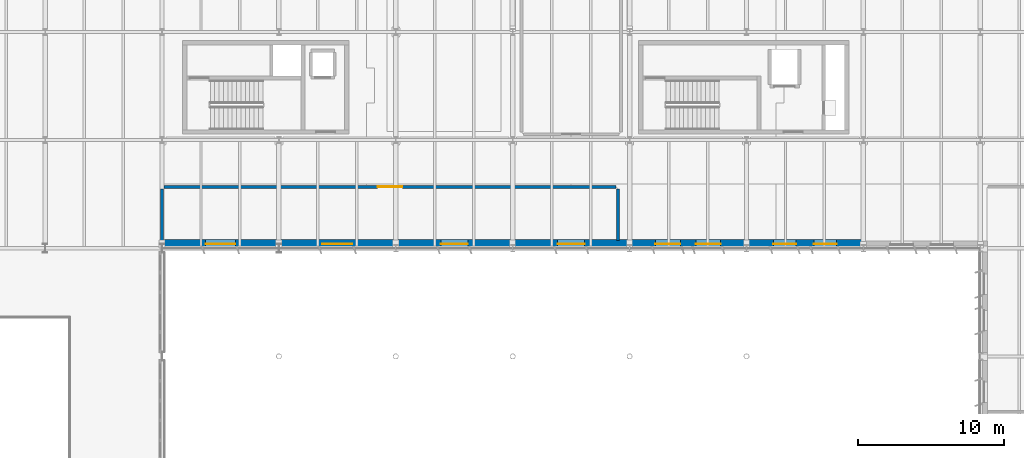
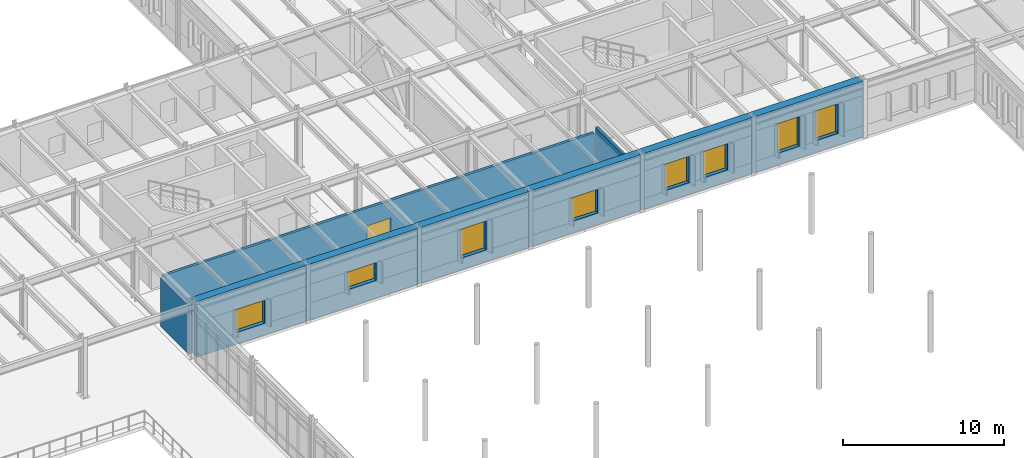
# One storey, part 44 of 75: 9 walls, 8 windows, 1 door, 9 openings.
"""IFC4 building model written with IfcOpenShell, lengths in metres."""

from ifc_helpers import new_model, si_unit, direction, frame, frame_2d, origin, place, context, subcontext, project, spatial, rectangle, extrude, material, layer, layer_set, type_object, element, fill, save


model = new_model("IFC4")

# Units and contexts
model_context = context("Model", 3, precision=1e-05, world=origin(), true_north=direction((0.0, 1.0)))
body_context = subcontext(model_context, "Body", "Model", "MODEL_VIEW")
ifc_project = project(units=[si_unit("LENGTHUNIT", "METRE"), si_unit("AREAUNIT", "SQUARE_METRE"), si_unit("VOLUMEUNIT", "CUBIC_METRE"), si_unit("PLANEANGLEUNIT", "RADIAN"), si_unit("MASSUNIT", "GRAM", prefix="KILO")], contexts=[model_context])

# Site, building, storey
site_placement = place(None, origin())
site = spatial("IfcSite", under=ifc_project, at=site_placement, CompositionType="ELEMENT")
building_placement = place(site_placement, origin())
building = spatial("IfcBuilding", under=site, at=building_placement, Name="Valkorina Park Police Headquarters", CompositionType="ELEMENT")
storey_placement = place(building_placement, frame((0.0, 0.0, 5.39990234375)))
storey = spatial("IfcBuildingStorey", under=building, at=storey_placement, Name="L02", CompositionType="ELEMENT", Elevation=5.39990234375)

# Wall, opening, door
ifc_material_1 = material(Name="Autoclaved aerated concrete masonry", Category="masonry")
ifc_layer_1 = layer(ifc_material_1, 0.199951171875)
ifc_layer_set_1 = layer_set([ifc_layer_1], Name="Autoclaved aerated concrete masonry")
wall_type_1 = type_object("IfcWallType", Name="WL-CORR-200-EI60", PredefinedType="STANDARD", material=ifc_layer_set_1)
wall_1_placement = place(storey_placement, frame((80.93994140625, 63.39990234375, 0.0), z_axis=(0.0, 0.0, 1.0), x_axis=(1.0, 0.0, 0.0)))
wall_1 = element("IfcWall", 1, at=wall_1_placement, inside=storey, type_object=wall_type_1, Name="L02 Interior Partition 0141 (L02-IT-01)", PredefinedType="STANDARD", context=body_context, shape_type="SweptSolid", body=[
    extrude(rectangle(XDim=30.920166015625, YDim=0.199951171875, at=frame_2d((15.4599609375, 0.0))), origin(), (0.0, 0.0, 1.0), 3.72998046875),
])
opening_1_placement = place(wall_1_placement, frame((14.610107421875, 0.0, 0.0)))
opening_1 = element("IfcOpeningElement", 2, at=opening_1_placement, cuts=wall_1, Name="Opening FD-08", PredefinedType="OPENING", context=body_context, shape_type="SweptSolid", body=[
    extrude(rectangle(XDim=1.699951171875, YDim=2.39990234375, at=frame_2d((0.85009765625, 1.199951171875))), frame((0.0, 0.10986328125, 0.0), z_axis=(0.0, -1.0, 0.0), x_axis=(1.0, 0.0, 0.0)), (0.0, 0.0, 1.0), 0.219970703125),
])
ifc_material_2 = material(Name="Galvanized steel door leaf", Category="steel")
ifc_layer_2 = layer(ifc_material_2, 0.050048828125)
ifc_layer_set_2 = layer_set([ifc_layer_2], Name="Galvanized steel door leaf")
door_type = type_object("IfcDoorType", Name="DR-FIRE-PLANT-1700x2400", OperationType="NOTDEFINED", PredefinedType="DOOR", material=ifc_layer_set_2)
door_placement = place(opening_1_placement, origin())
door = element("IfcDoor", 3, at=door_placement, inside=storey, type_object=door_type, Name="Door D-L02-I065 (L02-IT-01)", OperationType="DOUBLE_DOOR_SINGLE_SWING", OverallHeight=2.39990234375, OverallWidth=1.699951171875, PredefinedType="DOOR", context=body_context, shape_type="SweptSolid", body=[
    extrude(rectangle(XDim=1.699951171875, YDim=2.39990234375, at=frame_2d((0.85009765625, 1.199951171875))), frame((0.0, 0.02490234375, 0.0), z_axis=(0.0, -1.0, 0.0), x_axis=(1.0, 0.0, 0.0)), (0.0, 0.0, 1.0), 0.050048828125),
])
fill(opening_1, door)

# Walls
wall_2_placement = place(storey_placement, frame((80.800048828125, 59.739990234375, 0.0), z_axis=(0.0, 0.0, 1.0), x_axis=(0.0, 1.0, 0.0)))
element("IfcWall", 4, at=wall_2_placement, inside=storey, type_object=wall_type_1, Name="L02 Interior Partition 0142 (L02-IT-01)", PredefinedType="STANDARD", context=body_context, shape_type="SweptSolid", body=[
    extrude(rectangle(XDim=3.52001953125, YDim=0.199951171875, at=frame_2d((1.760009765625, 0.0))), origin(), (0.0, 0.0, 1.0), 3.72998046875),
])
wall_3_placement = place(storey_placement, frame((112.0, 59.739990234375, 0.0), z_axis=(0.0, 0.0, 1.0), x_axis=(0.0, 1.0, 0.0)))
element("IfcWall", 5, at=wall_3_placement, inside=storey, type_object=wall_type_1, Name="L02 Interior Partition 0143 (L02-IT-01)", PredefinedType="STANDARD", context=body_context, shape_type="SweptSolid", body=[
    extrude(rectangle(XDim=3.52001953125, YDim=0.199951171875, at=frame_2d((1.760009765625, 0.0))), origin(), (0.0, 0.0, 1.0), 4.170166015625),
])

# Wall, openings, windows
ifc_material_3 = material(Name="Concrete C35/45", Category="concrete")
ifc_layer_3 = layer(ifc_material_3, 0.580078125)
ifc_layer_set_3 = layer_set([ifc_layer_3], Name="Concrete C35/45")
wall_type_2 = type_object("IfcWallType", Name="WL-EXT-BOARD-580", PredefinedType="STANDARD", material=ifc_layer_set_3)
wall_4_placement = place(storey_placement, frame((128.800048828125, 59.489990234375, 0.0), z_axis=(0.0, 0.0, 1.0), x_axis=(-1.0, 0.0, 0.0)))
wall_4 = element("IfcWall", 6, at=wall_4_placement, inside=storey, type_object=wall_type_2, Name="L02 Architectural Concrete Exterior Wall 0177", PredefinedType="STANDARD", context=body_context, shape_type="SweptSolid", body=[
    extrude(rectangle(XDim=8.0, YDim=0.580078125, at=frame_2d((4.0, 0.0))), origin(), (0.0, 0.0, 1.0), 4.239990234375),
])
opening_2_placement = place(wall_4_placement, frame((1.842529296875, 0.0, 0.89990234375)))
opening_2 = element("IfcOpeningElement", 7, at=opening_2_placement, cuts=wall_4, Name="Opening WN-27", PredefinedType="OPENING", context=body_context, shape_type="SweptSolid", body=[
    extrude(rectangle(XDim=1.550048828125, YDim=2.25, at=frame_2d((0.77490234375, 1.125))), frame((0.0, 0.300048828125, 0.0), z_axis=(0.0, -1.0, 0.0), x_axis=(1.0, 0.0, 0.0)), (0.0, 0.0, 1.0), 0.60009765625),
])
opening_3_placement = place(wall_4_placement, frame((4.607421875, 0.0, 0.89990234375)))
opening_3 = element("IfcOpeningElement", 8, at=opening_3_placement, cuts=wall_4, Name="Opening WN-27", PredefinedType="OPENING", context=body_context, shape_type="SweptSolid", body=[
    extrude(rectangle(XDim=1.550048828125, YDim=2.25, at=frame_2d((0.77490234375, 1.125))), frame((0.0, 0.300048828125, 0.0), z_axis=(0.0, -1.0, 0.0), x_axis=(1.0, 0.0, 0.0)), (0.0, 0.0, 1.0), 0.60009765625),
])
ifc_material_4 = material(Name="Triple low-E insulated glazing", Category="glass")
ifc_layer_4 = layer(ifc_material_4, 0.06005859375)
ifc_layer_set_4 = layer_set([ifc_layer_4], Name="Triple low-E insulated glazing")
window_type_1 = type_object("IfcWindowType", Name="WN-COURT-1550x2250", PartitioningType="SINGLE_PANEL", PredefinedType="WINDOW", material=ifc_layer_set_4)
window_1_placement = place(opening_2_placement, origin())
window_1 = element("IfcWindow", 9, at=window_1_placement, inside=storey, type_object=window_type_1, Name="Window L02-0299", OverallHeight=2.25, OverallWidth=1.550048828125, PartitioningType="SINGLE_PANEL", PredefinedType="WINDOW", context=body_context, shape_type="SweptSolid", body=[
    extrude(rectangle(XDim=1.550048828125, YDim=2.25, at=frame_2d((0.77490234375, 1.125))), frame((0.0, 0.030029296875, 0.0), z_axis=(0.0, -1.0, 0.0), x_axis=(1.0, 0.0, 0.0)), (0.0, 0.0, 1.0), 0.06005859375),
])
fill(opening_2, window_1)
window_2_placement = place(opening_3_placement, origin())
window_2 = element("IfcWindow", 10, at=window_2_placement, inside=storey, type_object=window_type_1, Name="Window L02-0300", OverallHeight=2.25, OverallWidth=1.550048828125, PartitioningType="SINGLE_PANEL", PredefinedType="WINDOW", context=body_context, shape_type="SweptSolid", body=[
    extrude(rectangle(XDim=1.550048828125, YDim=2.25, at=frame_2d((0.77490234375, 1.125))), frame((0.0, 0.030029296875, 0.0), z_axis=(0.0, -1.0, 0.0), x_axis=(1.0, 0.0, 0.0)), (0.0, 0.0, 1.0), 0.06005859375),
])
fill(opening_3, window_2)

wall_5_placement = place(storey_placement, frame((120.800048828125, 59.489990234375, 0.0), z_axis=(0.0, 0.0, 1.0), x_axis=(-1.0, 0.0, 0.0)))
wall_5 = element("IfcWall", 11, at=wall_5_placement, inside=storey, type_object=wall_type_2, Name="L02 Architectural Concrete Exterior Wall 0178", PredefinedType="STANDARD", context=body_context, shape_type="SweptSolid", body=[
    extrude(rectangle(XDim=8.0, YDim=0.580078125, at=frame_2d((4.0, 0.0))), origin(), (0.0, 0.0, 1.0), 4.239990234375),
])
opening_4_placement = place(wall_5_placement, frame((1.767578125, 0.0, 0.89990234375)))
opening_4 = element("IfcOpeningElement", 12, at=opening_4_placement, cuts=wall_5, Name="Opening WN-28", PredefinedType="OPENING", context=body_context, shape_type="SweptSolid", body=[
    extrude(rectangle(XDim=1.699951171875, YDim=2.0, at=frame_2d((0.85009765625, 1.0))), frame((0.0, 0.300048828125, 0.0), z_axis=(0.0, -1.0, 0.0), x_axis=(1.0, 0.0, 0.0)), (0.0, 0.0, 1.0), 0.60009765625),
])
opening_5_placement = place(wall_5_placement, frame((4.532470703125, 0.0, 0.89990234375)))
opening_5 = element("IfcOpeningElement", 13, at=opening_5_placement, cuts=wall_5, Name="Opening WN-28", PredefinedType="OPENING", context=body_context, shape_type="SweptSolid", body=[
    extrude(rectangle(XDim=1.699951171875, YDim=2.0, at=frame_2d((0.85009765625, 1.0))), frame((0.0, 0.300048828125, 0.0), z_axis=(0.0, -1.0, 0.0), x_axis=(1.0, 0.0, 0.0)), (0.0, 0.0, 1.0), 0.60009765625),
])
ifc_layer_5 = layer(ifc_material_4, 0.06005859375)
ifc_layer_set_5 = layer_set([ifc_layer_5], Name="Triple low-E insulated glazing")
window_type_2 = type_object("IfcWindowType", Name="WN-COURT-1700x2000", PartitioningType="SINGLE_PANEL", PredefinedType="WINDOW", material=ifc_layer_set_5)
window_3_placement = place(opening_4_placement, origin())
window_3 = element("IfcWindow", 14, at=window_3_placement, inside=storey, type_object=window_type_2, Name="Window L02-0301", OverallHeight=2.0, OverallWidth=1.699951171875, PartitioningType="SINGLE_PANEL", PredefinedType="WINDOW", context=body_context, shape_type="SweptSolid", body=[
    extrude(rectangle(XDim=1.699951171875, YDim=2.0, at=frame_2d((0.85009765625, 1.0))), frame((0.0, 0.030029296875, 0.0), z_axis=(0.0, -1.0, 0.0), x_axis=(1.0, 0.0, 0.0)), (0.0, 0.0, 1.0), 0.06005859375),
])
fill(opening_4, window_3)
window_4_placement = place(opening_5_placement, origin())
window_4 = element("IfcWindow", 15, at=window_4_placement, inside=storey, type_object=window_type_2, Name="Window L02-0302", OverallHeight=2.0, OverallWidth=1.699951171875, PartitioningType="SINGLE_PANEL", PredefinedType="WINDOW", context=body_context, shape_type="SweptSolid", body=[
    extrude(rectangle(XDim=1.699951171875, YDim=2.0, at=frame_2d((0.85009765625, 1.0))), frame((0.0, 0.030029296875, 0.0), z_axis=(0.0, -1.0, 0.0), x_axis=(1.0, 0.0, 0.0)), (0.0, 0.0, 1.0), 0.06005859375),
])
fill(opening_5, window_4)

# Wall, opening, window
wall_6_placement = place(storey_placement, frame((112.800048828125, 59.489990234375, 0.0), z_axis=(0.0, 0.0, 1.0), x_axis=(-1.0, 0.0, 0.0)))
wall_6 = element("IfcWall", 16, at=wall_6_placement, inside=storey, type_object=wall_type_2, Name="L02 Architectural Concrete Exterior Wall 0179", PredefinedType="STANDARD", context=body_context, shape_type="SweptSolid", body=[
    extrude(rectangle(XDim=8.0, YDim=0.580078125, at=frame_2d((4.0, 0.0))), origin(), (0.0, 0.0, 1.0), 4.239990234375),
])
opening_6_placement = place(wall_6_placement, frame((3.074951171875, 0.0, 0.89990234375)))
opening_6 = element("IfcOpeningElement", 17, at=opening_6_placement, cuts=wall_6, Name="Opening WN-29", PredefinedType="OPENING", context=body_context, shape_type="SweptSolid", body=[
    extrude(rectangle(XDim=1.85009765625, YDim=1.800048828125, at=frame_2d((0.925048828125, 0.89990234375))), frame((0.0, 0.300048828125, 0.0), z_axis=(0.0, -1.0, 0.0), x_axis=(1.0, 0.0, 0.0)), (0.0, 0.0, 1.0), 0.60009765625),
])
ifc_layer_6 = layer(ifc_material_4, 0.06005859375)
ifc_layer_set_6 = layer_set([ifc_layer_6], Name="Triple low-E insulated glazing")
window_type_3 = type_object("IfcWindowType", Name="WN-OFF-1850x1800", PartitioningType="SINGLE_PANEL", PredefinedType="WINDOW", material=ifc_layer_set_6)
window_5_placement = place(opening_6_placement, origin())
window_5 = element("IfcWindow", 18, at=window_5_placement, inside=storey, type_object=window_type_3, Name="Window L02-0303", OverallHeight=1.800048828125, OverallWidth=1.85009765625, PartitioningType="SINGLE_PANEL", PredefinedType="WINDOW", context=body_context, shape_type="SweptSolid", body=[
    extrude(rectangle(XDim=1.85009765625, YDim=1.800048828125, at=frame_2d((0.925048828125, 0.89990234375))), frame((0.0, 0.030029296875, 0.0), z_axis=(0.0, -1.0, 0.0), x_axis=(1.0, 0.0, 0.0)), (0.0, 0.0, 1.0), 0.06005859375),
])
fill(opening_6, window_5)

wall_7_placement = place(storey_placement, frame((104.800048828125, 59.489990234375, 0.0), z_axis=(0.0, 0.0, 1.0), x_axis=(-1.0, 0.0, 0.0)))
wall_7 = element("IfcWall", 19, at=wall_7_placement, inside=storey, type_object=wall_type_2, Name="L02 Architectural Concrete Exterior Wall 0180", PredefinedType="STANDARD", context=body_context, shape_type="SweptSolid", body=[
    extrude(rectangle(XDim=8.0, YDim=0.580078125, at=frame_2d((4.0, 0.0))), origin(), (0.0, 0.0, 1.0), 4.239990234375),
])
opening_7_placement = place(wall_7_placement, frame((3.074951171875, 0.0, 0.89990234375)))
opening_7 = element("IfcOpeningElement", 20, at=opening_7_placement, cuts=wall_7, Name="Opening WN-30", PredefinedType="OPENING", context=body_context, shape_type="SweptSolid", body=[
    extrude(rectangle(XDim=1.85009765625, YDim=2.199951171875, at=frame_2d((0.925048828125, 1.10009765625))), frame((0.0, 0.300048828125, 0.0), z_axis=(0.0, -1.0, 0.0), x_axis=(1.0, 0.0, 0.0)), (0.0, 0.0, 1.0), 0.60009765625),
])
ifc_layer_7 = layer(ifc_material_4, 0.06005859375)
ifc_layer_set_7 = layer_set([ifc_layer_7], Name="Triple low-E insulated glazing")
window_type_4 = type_object("IfcWindowType", Name="WN-OFF-1850x2200", PartitioningType="SINGLE_PANEL", PredefinedType="WINDOW", material=ifc_layer_set_7)
window_6_placement = place(opening_7_placement, origin())
window_6 = element("IfcWindow", 21, at=window_6_placement, inside=storey, type_object=window_type_4, Name="Window L02-0304", OverallHeight=2.199951171875, OverallWidth=1.85009765625, PartitioningType="SINGLE_PANEL", PredefinedType="WINDOW", context=body_context, shape_type="SweptSolid", body=[
    extrude(rectangle(XDim=1.85009765625, YDim=2.199951171875, at=frame_2d((0.925048828125, 1.10009765625))), frame((0.0, 0.030029296875, 0.0), z_axis=(0.0, -1.0, 0.0), x_axis=(1.0, 0.0, 0.0)), (0.0, 0.0, 1.0), 0.06005859375),
])
fill(opening_7, window_6)

wall_8_placement = place(storey_placement, frame((96.800048828125, 59.489990234375, 0.0), z_axis=(0.0, 0.0, 1.0), x_axis=(-1.0, 0.0, 0.0)))
wall_8 = element("IfcWall", 22, at=wall_8_placement, inside=storey, type_object=wall_type_2, Name="L02 Architectural Concrete Exterior Wall 0181", PredefinedType="STANDARD", context=body_context, shape_type="SweptSolid", body=[
    extrude(rectangle(XDim=8.0, YDim=0.580078125, at=frame_2d((4.0, 0.0))), origin(), (0.0, 0.0, 1.0), 4.239990234375),
])
opening_8_placement = place(wall_8_placement, frame((2.97509765625, 0.0, 1.35009765625)))
opening_8 = element("IfcOpeningElement", 23, at=opening_8_placement, cuts=wall_8, Name="Opening WN-31", PredefinedType="OPENING", context=body_context, shape_type="SweptSolid", body=[
    extrude(rectangle(XDim=2.050048828125, YDim=1.35009765625, at=frame_2d((1.02490234375, 0.675048828125))), frame((0.0, 0.300048828125, 0.0), z_axis=(0.0, -1.0, 0.0), x_axis=(1.0, 0.0, 0.0)), (0.0, 0.0, 1.0), 0.60009765625),
])
ifc_layer_8 = layer(ifc_material_4, 0.06005859375)
ifc_layer_set_8 = layer_set([ifc_layer_8], Name="Triple low-E insulated glazing")
window_type_5 = type_object("IfcWindowType", Name="WN-GYM-2050x1350", PartitioningType="SINGLE_PANEL", PredefinedType="WINDOW", material=ifc_layer_set_8)
window_7_placement = place(opening_8_placement, origin())
window_7 = element("IfcWindow", 24, at=window_7_placement, inside=storey, type_object=window_type_5, Name="Window L02-0305", OverallHeight=1.35009765625, OverallWidth=2.050048828125, PartitioningType="SINGLE_PANEL", PredefinedType="WINDOW", context=body_context, shape_type="SweptSolid", body=[
    extrude(rectangle(XDim=2.050048828125, YDim=1.35009765625, at=frame_2d((1.02490234375, 0.675048828125))), frame((0.0, 0.030029296875, 0.0), z_axis=(0.0, -1.0, 0.0), x_axis=(1.0, 0.0, 0.0)), (0.0, 0.0, 1.0), 0.06005859375),
])
fill(opening_8, window_7)

wall_9_placement = place(storey_placement, frame((88.800048828125, 59.489990234375, 0.0), z_axis=(0.0, 0.0, 1.0), x_axis=(-1.0, 0.0, 0.0)))
wall_9 = element("IfcWall", 25, at=wall_9_placement, inside=storey, type_object=wall_type_2, Name="L02 Architectural Concrete Exterior Wall 0182", PredefinedType="STANDARD", context=body_context, shape_type="SweptSolid", body=[
    extrude(rectangle(XDim=7.840087890625, YDim=0.580078125, at=frame_2d((3.919921875, 0.0))), origin(), (0.0, 0.0, 1.0), 4.239990234375),
])
opening_9_placement = place(wall_9_placement, frame((2.97509765625, 0.0, 0.89990234375)))
opening_9 = element("IfcOpeningElement", 26, at=opening_9_placement, cuts=wall_9, Name="Opening WN-32", PredefinedType="OPENING", context=body_context, shape_type="SweptSolid", body=[
    extrude(rectangle(XDim=2.050048828125, YDim=1.75, at=frame_2d((1.02490234375, 0.875))), frame((0.0, 0.300048828125, 0.0), z_axis=(0.0, -1.0, 0.0), x_axis=(1.0, 0.0, 0.0)), (0.0, 0.0, 1.0), 0.60009765625),
])
ifc_layer_9 = layer(ifc_material_4, 0.06005859375)
ifc_layer_set_9 = layer_set([ifc_layer_9], Name="Triple low-E insulated glazing")
window_type_6 = type_object("IfcWindowType", Name="WN-GYM-2050x1750", PartitioningType="SINGLE_PANEL", PredefinedType="WINDOW", material=ifc_layer_set_9)
window_8_placement = place(opening_9_placement, origin())
window_8 = element("IfcWindow", 27, at=window_8_placement, inside=storey, type_object=window_type_6, Name="Window L02-0306", OverallHeight=1.75, OverallWidth=2.050048828125, PartitioningType="SINGLE_PANEL", PredefinedType="WINDOW", context=body_context, shape_type="SweptSolid", body=[
    extrude(rectangle(XDim=2.050048828125, YDim=1.75, at=frame_2d((1.02490234375, 0.875))), frame((0.0, 0.030029296875, 0.0), z_axis=(0.0, -1.0, 0.0), x_axis=(1.0, 0.0, 0.0)), (0.0, 0.0, 1.0), 0.06005859375),
])
fill(opening_9, window_8)

save(model, "model.ifc")
